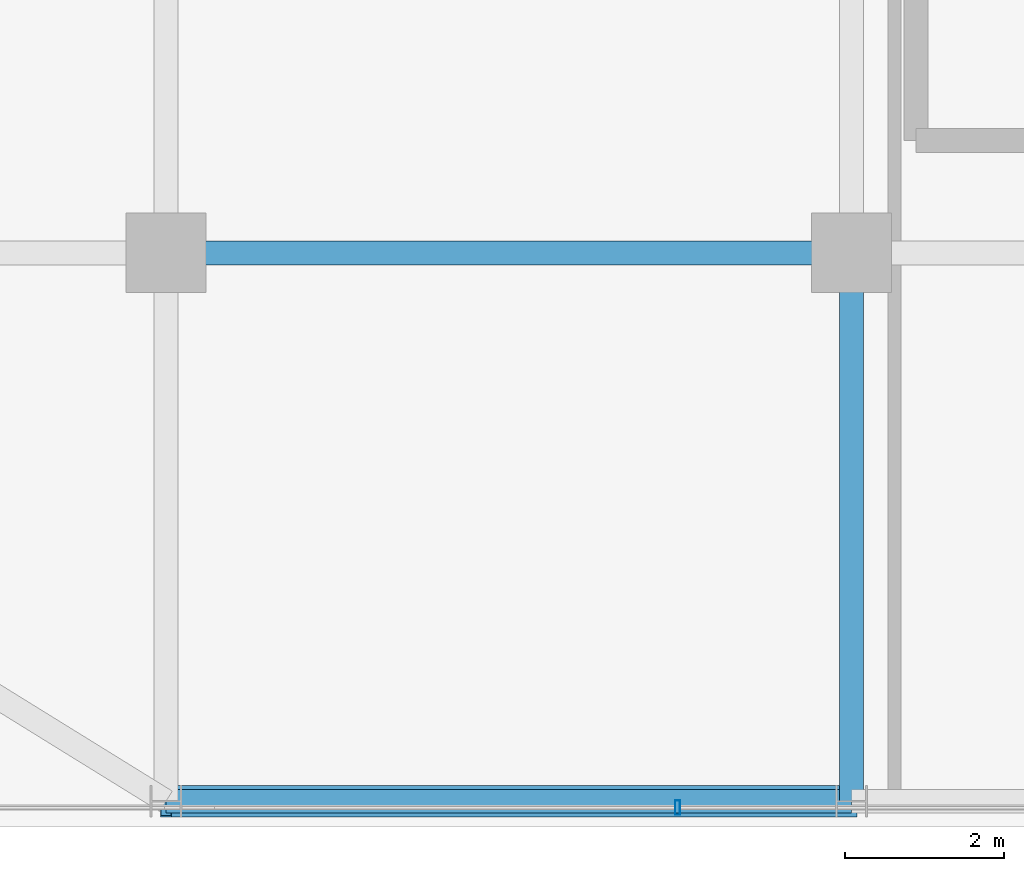
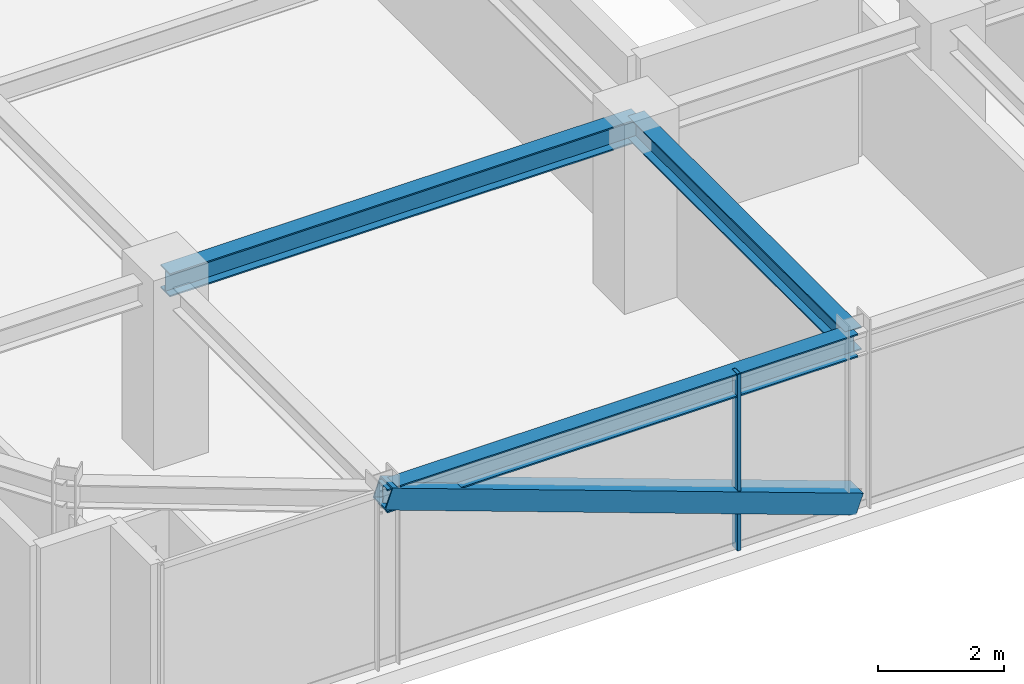
# One storey, part 5 of 36: 3 beams, 2 members, 1 element without a shape of its own.
"""IFC4 building model written with IfcOpenShell, lengths in metres."""

from ifc_helpers import new_model, si_unit, direction, frame, origin, origin_2d, place, context, subcontext, project, spatial, hollow_rectangle, i_section, extrude, source, transform, mapped, material, material_profile, profile_set, type_object, element, aggregate, save


model = new_model("IFC4")

# Units and contexts
model_context = context("Model", 3, precision=1e-05, world=origin(), true_north=direction((0.0, 1.0)))
body_context = subcontext(model_context, "Body", "Model", "MODEL_VIEW")
ifc_project = project(units=[si_unit("LENGTHUNIT", "METRE"), si_unit("AREAUNIT", "SQUARE_METRE"), si_unit("VOLUMEUNIT", "CUBIC_METRE"), si_unit("PLANEANGLEUNIT", "RADIAN"), si_unit("MASSUNIT", "GRAM", prefix="KILO")], contexts=[model_context])

# Site, building, storey
site_placement = place(None, origin())
site = spatial("IfcSite", under=ifc_project, at=site_placement, CompositionType="ELEMENT")
building_placement = place(site_placement, origin())
building = spatial("IfcBuilding", under=site, at=building_placement, Name="Nahalor Promenade Grand Hotel", CompositionType="ELEMENT")
storey_placement = place(building_placement, frame((0.0, 0.0, 219.699951171875)))
storey = spatial("IfcBuildingStorey", under=building, at=storey_placement, Name="L56", CompositionType="ELEMENT", Elevation=219.699951171875)

# Beams
ifc_material_1 = material(Name="Steel S355JR", Category="steel")
ifc_material_profile_1 = material_profile(ifc_material_1, i_section(OverallWidth=0.3, OverallDepth=0.45, WebThickness=0.014, FlangeThickness=0.026, at=origin_2d()), Name="HEB 450")
ifc_profile_set_1 = profile_set([ifc_material_profile_1], Name="Steel S355JR")
beam_type_1 = type_object("IfcBeamType", Name="Beam-Spandrel-HEB450", PredefinedType="SPANDREL", material=ifc_profile_set_1)
shared_shape_1 = source(origin(), body_context, "Body", "SweptSolid", [
    extrude(i_section(OverallWidth=0.3, OverallDepth=0.45, WebThickness=0.014, FlangeThickness=0.026, at=origin_2d()), origin(), (0.0, 0.0, 1.0), 8.60009765625),
])
beam_1_placement = place(storey_placement, frame((-17.0, -23.8798828125, 3.18505859375), z_axis=(1.0, 0.0, 0.0), x_axis=(0.0, 1.0, 0.0)))
element("IfcBeam", 1, at=beam_1_placement, inside=storey, type_object=beam_type_1, Name="BM-L56-SP-S-0", PredefinedType="SPANDREL", context=body_context, shape_type="MappedRepresentation", body=[
    mapped(shared_shape_1, transform((0.0, 0.0, 0.0), scale=1.0)),
])
ifc_material_profile_2 = material_profile(ifc_material_1, i_section(OverallWidth=0.3, OverallDepth=0.45, WebThickness=0.014, FlangeThickness=0.026, at=origin_2d()), Name="HEB 450")
ifc_profile_set_2 = profile_set([ifc_material_profile_2], Name="Steel S355JR")
beam_type_2 = type_object("IfcBeamType", Name="Beam-Girder-HEB450", PredefinedType="BEAM", material=ifc_profile_set_2)
shared_shape_2 = source(origin(), body_context, "Body", "SweptSolid", [
    extrude(i_section(OverallWidth=0.3, OverallDepth=0.45, WebThickness=0.014, FlangeThickness=0.026, at=origin_2d()), origin(), (0.0, 0.0, 1.0), 6.8798828125),
])
beam_2_placement = place(storey_placement, frame((-8.39990234375, -23.8798828125, 3.18505859375), z_axis=(0.0, 1.0, 0.0), x_axis=(-1.0, 0.0, 0.0)))
element("IfcBeam", 2, at=beam_2_placement, inside=storey, type_object=beam_type_2, Name="BM-L56-GY-1-0", PredefinedType="BEAM", context=body_context, shape_type="MappedRepresentation", body=[
    mapped(shared_shape_2, transform((0.0, 0.0, 0.0), scale=1.0)),
])
shared_shape_3 = source(origin(), body_context, "Body", "SweptSolid", [
    extrude(i_section(OverallWidth=0.3, OverallDepth=0.45, WebThickness=0.014, FlangeThickness=0.026, at=origin_2d()), origin(), (0.0, 0.0, 1.0), 8.60009765625),
])
beam_3_placement = place(storey_placement, frame((-17.0, -17.0, 3.18505859375), z_axis=(1.0, 0.0, 0.0), x_axis=(0.0, 1.0, 0.0)))
element("IfcBeam", 3, at=beam_3_placement, inside=storey, type_object=beam_type_2, Name="BM-L56-GX-0-1", PredefinedType="BEAM", context=body_context, shape_type="MappedRepresentation", body=[
    mapped(shared_shape_3, transform((0.0, 0.0, 0.0), scale=1.0)),
])

# Member
ifc_material_profile_3 = material_profile(ifc_material_1, hollow_rectangle(XDim=0.4, YDim=0.4, WallThickness=0.022, at=origin_2d()), Name="SHS 400x400x22")
ifc_profile_set_3 = profile_set([ifc_material_profile_3], Name="Steel S355JR")
member_type_1 = type_object("IfcMemberType", Name="Mem-ExoBrace-SHS400", PredefinedType="BRACE", material=ifc_profile_set_3)
shared_shape_4 = source(origin(), body_context, "Body", "SweptSolid", [
    extrude(hollow_rectangle(XDim=0.4, YDim=0.4, WallThickness=0.022, at=origin_2d()), origin(), (0.0, 0.0, 1.0), 9.14501953125),
])
member_1_placement = place(storey_placement, frame((-8.39990234375, -23.8798828125, 0.150146484375), z_axis=(-0.940404564616, 0.0, 0.340057722821), x_axis=(0.0, -1.0, 0.0)))
element("IfcMember", 4, at=member_1_placement, inside=storey, type_object=member_type_1, Name="EXO-L56-S-0", PredefinedType="BRACE", context=body_context, shape_type="MappedRepresentation", body=[
    mapped(shared_shape_4, transform((0.0, 0.0, 0.0), scale=1.0)),
])

# Curtain wall, member
ifc_material_2 = material(Name="Anodised Bronze Aluminium EN AW-6063 T6", Category="aluminium")
curtain_wall_type = type_object("IfcCurtainWallType", Name="CW2 Typical Hotel Flush Bronze Unitised Curtain Wall", PredefinedType="USERDEFINED", material=ifc_material_2)
curtain_wall_placement = place(storey_placement, origin())
curtain_wall = element("IfcCurtainWall", 5, at=curtain_wall_placement, inside=storey, type_object=curtain_wall_type, Name="L56 Curtain Wall CW-L56-S-1", ObjectType="UNITISED_CURTAIN_WALL", PredefinedType="USERDEFINED")
ifc_material_profile_4 = material_profile(ifc_material_2, hollow_rectangle(XDim=0.065, YDim=0.18, WallThickness=0.004, at=origin_2d()), Name="CWM 65x180x4")
ifc_profile_set_4 = profile_set([ifc_material_profile_4], Name="Anodised Bronze Aluminium EN AW-6063 T6")
member_type_2 = type_object("IfcMemberType", Name="CWM2 Typical Bronze Mullion 65x180", PredefinedType="MULLION", material=ifc_profile_set_4)
shared_shape_5 = source(origin(), body_context, "Body", "SweptSolid", [
    extrude(hollow_rectangle(XDim=0.065, YDim=0.18, WallThickness=0.004, at=origin_2d()), origin(), (0.0, 0.0, 1.0), 3.41015625),
])
member_2_placement = place(storey_placement, frame((-10.580078125, -23.9599609375, 0.0), z_axis=(0.0, 0.0, 1.0), x_axis=(1.0, 0.0, 0.0)))
member_2 = element("IfcMember", 6, at=member_2_placement, type_object=member_type_2, Name="CW-L56-S-1 Mullion 1", PredefinedType="MULLION", context=body_context, shape_type="MappedRepresentation", body=[
    mapped(shared_shape_5, transform((0.0, 0.0, 0.0), scale=1.0)),
])
aggregate(curtain_wall, [member_2])

save(model, "model.ifc")
